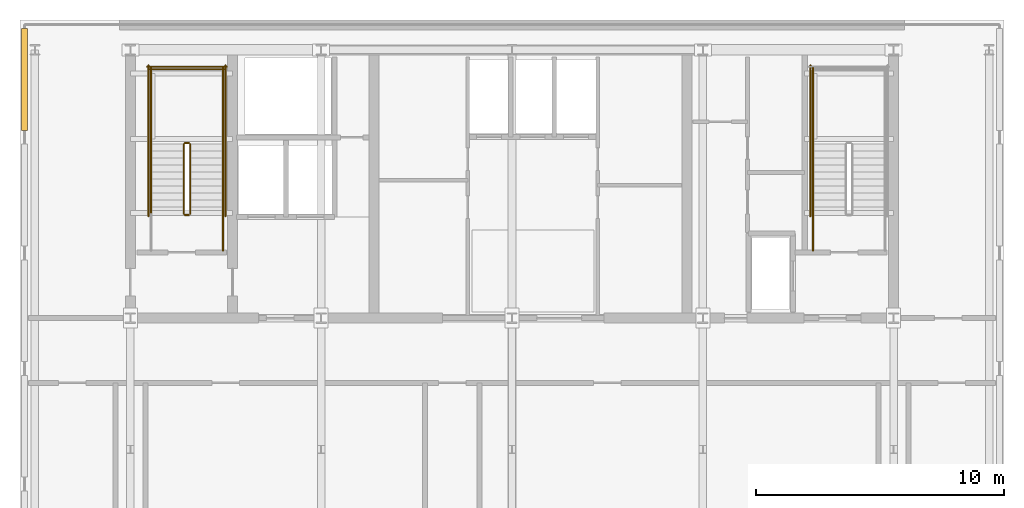
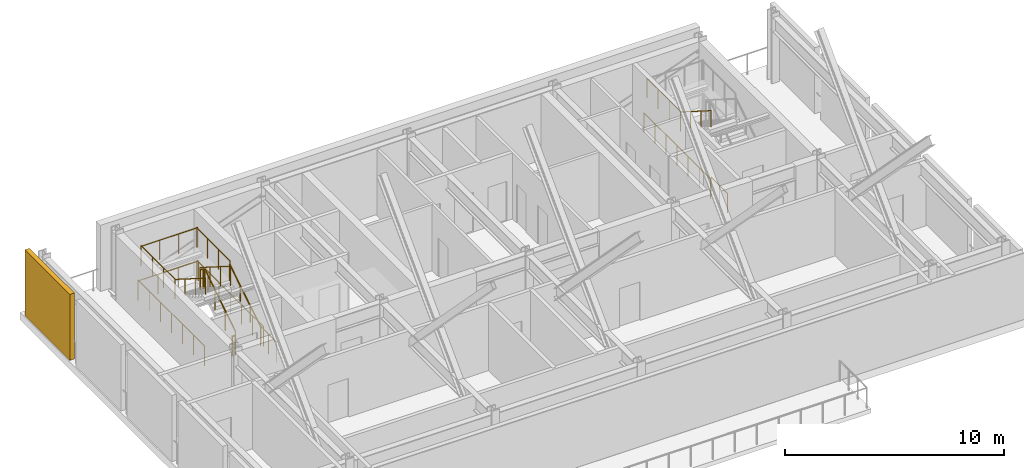
# One storey, part 6 of 8: 17 railings, 1 shading device.
"""IFC4 building model written with IfcOpenShell, lengths in metres."""

from ifc_helpers import new_model, si_unit, direction, frame, origin, origin_2d, place, context, subcontext, project, spatial, rectangle, circle, extrude, material, layer, layer_set, type_object, element, save


model = new_model("IFC4")

# Units and contexts
model_context = context("Model", 3, precision=1e-05, world=origin(), true_north=direction((0.0, 1.0)))
body_context = subcontext(model_context, "Body", "Model", "MODEL_VIEW")
ifc_project = project(units=[si_unit("LENGTHUNIT", "METRE"), si_unit("AREAUNIT", "SQUARE_METRE"), si_unit("VOLUMEUNIT", "CUBIC_METRE"), si_unit("PLANEANGLEUNIT", "RADIAN"), si_unit("MASSUNIT", "GRAM", prefix="KILO")], contexts=[model_context])

# Site, building, storey
site_placement = place(None, origin())
site = spatial("IfcSite", under=ifc_project, at=site_placement, CompositionType="ELEMENT")
building_placement = place(site_placement, origin())
building = spatial("IfcBuilding", under=site, at=building_placement, Name="Yelkora Congress Tower", CompositionType="ELEMENT")
storey_placement = place(building_placement, frame((0.0, 0.0, 247.39990234375)))
storey = spatial("IfcBuildingStorey", under=building, at=storey_placement, Name="L69", CompositionType="ELEMENT", Elevation=247.39990234375)

# Railings
ifc_material_1 = material(Name="Painted galvanised steel stair well guard with vertical infill", Category="steel")
ifc_layer_1 = layer(ifc_material_1, 0.06005859375)
ifc_layer_set_1 = layer_set([ifc_layer_1], Name="Painted galvanised steel stair well guard with vertical infill")
railing_type_1 = type_object("IfcRailingType", Name="RAIL-STAIR-GUARD-1120", PredefinedType="GUARDRAIL", material=ifc_layer_set_1)
railing_1_placement = place(storey_placement, frame((25.449951171875, 39.60009765625, 0.177490234375)))
element("IfcRailing", 1, at=railing_1_placement, inside=storey, type_object=railing_type_1, Name="ST-01 L69 Stair Well Guardrail 1", PredefinedType="GUARDRAIL", context=body_context, shape_type="SweptSolid", body=[
    extrude(circle(Radius=0.02392578125, at=origin_2d()), frame((0.0, 0.0, 1.09619140625), z_axis=(0.0, 0.844887892834, 0.53494340686), x_axis=(-1.0, 0.0, 0.0)), (0.0, 0.0, 1.0), 3.313720703125),
    extrude(circle(Radius=0.02099609375, at=origin_2d()), origin(), (0.0, 0.0, 1.0), 1.072021484375),
    extrude(circle(Radius=0.02099609375, at=origin_2d()), frame((0.0, 0.933349609375, 0.5908203125)), (0.0, 0.0, 1.0), 1.072021484375),
    extrude(circle(Radius=0.02099609375, at=origin_2d()), frame((0.0, 1.866455078125, 1.181884765625)), (0.0, 0.0, 1.0), 1.072021484375),
    extrude(circle(Radius=0.02099609375, at=origin_2d()), frame((0.0, 2.7998046875, 1.772705078125)), (0.0, 0.0, 1.0), 1.072021484375),
])
railing_2_placement = place(storey_placement, frame((25.39990234375, 42.449951171875, 1.9501953125)))
element("IfcRailing", 2, at=railing_2_placement, inside=storey, type_object=railing_type_1, Name="ST-01 L69 Stair Well Guardrail 2", PredefinedType="GUARDRAIL", context=body_context, shape_type="SweptSolid", body=[
    extrude(circle(Radius=0.02392578125, at=origin_2d()), frame((0.0, 0.0, 1.09619140625), z_axis=(-1.0, 0.0, 0.0), x_axis=(0.0, -1.0, 0.0)), (0.0, 0.0, 1.0), 0.159912109375),
    extrude(circle(Radius=0.02099609375, at=origin_2d()), origin(), (0.0, 0.0, 1.0), 1.072021484375),
    extrude(circle(Radius=0.02099609375, at=origin_2d()), frame((-0.159912109375, 0.0, 0.0)), (0.0, 0.0, 1.0), 1.072021484375),
])
for number, where, name in (
    (3, (26.77001953125, 42.39990234375, 1.9501953125), "ST-01 L69 Stair Well Guardrail 3"),
    (4, (23.8701171875, 42.39990234375, 1.9501953125), "ST-01 L69 Stair Well Guardrail 4"),
):
    element("IfcRailing", number, at=place(storey_placement, frame(where)), inside=storey, type_object=railing_type_1, Name=name, PredefinedType="GUARDRAIL", context=body_context, shape_type="SweptSolid", body=[
        extrude(circle(Radius=0.02392578125, at=origin_2d()), frame((0.0, 0.0, 1.09619140625), z_axis=(0.0, 1.0, 0.0), x_axis=(-1.0, 0.0, 0.0)), (0.0, 0.0, 1.0), 3.070068359375),
        extrude(circle(Radius=0.02099609375, at=origin_2d()), origin(), (0.0, 0.0, 1.0), 1.072021484375),
        extrude(circle(Radius=0.02099609375, at=origin_2d()), frame((0.0, 1.0234375, 0.0)), (0.0, 0.0, 1.0), 1.072021484375),
        extrude(circle(Radius=0.02099609375, at=origin_2d()), frame((0.0, 2.046630859375, 0.0)), (0.0, 0.0, 1.0), 1.072021484375),
        extrude(circle(Radius=0.02099609375, at=origin_2d()), frame((0.0, 3.070068359375, 0.0)), (0.0, 0.0, 1.0), 1.072021484375),
    ])
railing_3_placement = place(storey_placement, frame((26.820068359375, 45.419921875, 1.9501953125)))
element("IfcRailing", 5, at=railing_3_placement, inside=storey, type_object=railing_type_1, Name="ST-01 L69 Stair Well Guardrail 5", PredefinedType="GUARDRAIL", context=body_context, shape_type="SweptSolid", body=[
    extrude(circle(Radius=0.02392578125, at=origin_2d()), frame((0.0, 0.0, 1.09619140625), z_axis=(-1.0, 0.0, 0.0), x_axis=(0.0, -1.0, 0.0)), (0.0, 0.0, 1.0), 3.0),
    extrude(circle(Radius=0.02099609375, at=origin_2d()), origin(), (0.0, 0.0, 1.0), 1.072021484375),
    extrude(circle(Radius=0.02099609375, at=origin_2d()), frame((-1.0, 0.0, 0.0)), (0.0, 0.0, 1.0), 1.072021484375),
    extrude(circle(Radius=0.02099609375, at=origin_2d()), frame((-2.0, 0.0, 0.0)), (0.0, 0.0, 1.0), 1.072021484375),
    extrude(circle(Radius=0.02099609375, at=origin_2d()), frame((-3.0, 0.0, 0.0)), (0.0, 0.0, 1.0), 1.072021484375),
])
railing_4_placement = place(storey_placement, frame((25.18994140625, 42.39990234375, 2.12744140625)))
element("IfcRailing", 6, at=railing_4_placement, inside=storey, type_object=railing_type_1, Name="ST-01 L69 Stair Well Guardrail 6", PredefinedType="GUARDRAIL", context=body_context, shape_type="SweptSolid", body=[
    extrude(circle(Radius=0.02392578125, at=origin_2d()), frame((0.0, 0.0, 1.09619140625), z_axis=(0.0, -0.844887892834, 0.53494340686), x_axis=(1.0, 0.0, 0.0)), (0.0, 0.0, 1.0), 3.313720703125),
    extrude(circle(Radius=0.02099609375, at=origin_2d()), origin(), (0.0, 0.0, 1.0), 1.072021484375),
    extrude(circle(Radius=0.02099609375, at=origin_2d()), frame((0.0, -0.933349609375, 0.5908203125)), (0.0, 0.0, 1.0), 1.072021484375),
    extrude(circle(Radius=0.02099609375, at=origin_2d()), frame((0.0, -1.866455078125, 1.181884765625)), (0.0, 0.0, 1.0), 1.072021484375),
    extrude(circle(Radius=0.02099609375, at=origin_2d()), frame((0.0, -2.7998046875, 1.772705078125)), (0.0, 0.0, 1.0), 1.072021484375),
])
railing_5_placement = place(storey_placement, frame((25.39990234375, 39.550048828125, 0.0)))
element("IfcRailing", 7, at=railing_5_placement, inside=storey, type_object=railing_type_1, Name="ST-01 L69 Stair Well Guardrail 7", PredefinedType="GUARDRAIL", context=body_context, shape_type="SweptSolid", body=[
    extrude(circle(Radius=0.02392578125, at=origin_2d()), frame((0.0, 0.0, 1.09619140625), z_axis=(-1.0, 0.0, 0.0), x_axis=(0.0, -1.0, 0.0)), (0.0, 0.0, 1.0), 0.159912109375),
    extrude(circle(Radius=0.02099609375, at=origin_2d()), origin(), (0.0, 0.0, 1.0), 1.072021484375),
    extrude(circle(Radius=0.02099609375, at=origin_2d()), frame((-0.159912109375, 0.0, 0.0)), (0.0, 0.0, 1.0), 1.072021484375),
])
railing_6_placement = place(storey_placement, frame((26.77001953125, 38.1201171875, 0.0)))
element("IfcRailing", 8, at=railing_6_placement, inside=storey, type_object=railing_type_1, Name="ST-01 L69 Stair Well Guardrail 8", PredefinedType="GUARDRAIL", context=body_context, shape_type="SweptSolid", body=[
    extrude(circle(Radius=0.02392578125, at=origin_2d()), frame((0.0, 0.0, 1.09619140625), z_axis=(0.0, 1.0, 0.0), x_axis=(-1.0, 0.0, 0.0)), (0.0, 0.0, 1.0), 1.47998046875),
    extrude(circle(Radius=0.02099609375, at=origin_2d()), origin(), (0.0, 0.0, 1.0), 1.072021484375),
    extrude(circle(Radius=0.02099609375, at=origin_2d()), frame((0.0, 0.739990234375, 0.0)), (0.0, 0.0, 1.0), 1.072021484375),
    extrude(circle(Radius=0.02099609375, at=origin_2d()), frame((0.0, 1.47998046875, 0.0)), (0.0, 0.0, 1.0), 1.072021484375),
])
for number, where, name in (
    (9, (26.8701171875, 39.5, 0.0), "ST-01 L69 Stair Well Guardrail 10"),
    (10, (23.77001953125, 39.5, 0.0), "ST-01 L69 Stair Well Guardrail 11"),
):
    element("IfcRailing", number, at=place(storey_placement, frame(where)), inside=storey, type_object=railing_type_1, Name=name, PredefinedType="GUARDRAIL", context=body_context, shape_type="SweptSolid", body=[
        extrude(circle(Radius=0.02392578125, at=origin_2d()), frame((0.0, 0.0, 1.09619140625), z_axis=(0.0, 1.0, 0.0), x_axis=(-1.0, 0.0, 0.0)), (0.0, 0.0, 1.0), 6.070068359375),
        extrude(circle(Radius=0.02099609375, at=origin_2d()), origin(), (0.0, 0.0, 1.0), 1.072021484375),
        extrude(circle(Radius=0.02099609375, at=origin_2d()), frame((0.0, 1.01171875, 0.0)), (0.0, 0.0, 1.0), 1.072021484375),
        extrude(circle(Radius=0.02099609375, at=origin_2d()), frame((0.0, 2.0234375, 0.0)), (0.0, 0.0, 1.0), 1.072021484375),
        extrude(circle(Radius=0.02099609375, at=origin_2d()), frame((0.0, 3.03515625, 0.0)), (0.0, 0.0, 1.0), 1.072021484375),
        extrude(circle(Radius=0.02099609375, at=origin_2d()), frame((0.0, 4.046630859375, 0.0)), (0.0, 0.0, 1.0), 1.072021484375),
        extrude(circle(Radius=0.02099609375, at=origin_2d()), frame((0.0, 5.058349609375, 0.0)), (0.0, 0.0, 1.0), 1.072021484375),
        extrude(circle(Radius=0.02099609375, at=origin_2d()), frame((0.0, 6.070068359375, 0.0)), (0.0, 0.0, 1.0), 1.072021484375),
    ])
railing_7_placement = place(storey_placement, frame((26.919921875, 45.52001953125, 0.0)))
element("IfcRailing", 11, at=railing_7_placement, inside=storey, type_object=railing_type_1, Name="ST-01 L69 Stair Well Guardrail 12", PredefinedType="GUARDRAIL", context=body_context, shape_type="SweptSolid", body=[
    extrude(circle(Radius=0.02392578125, at=origin_2d()), frame((0.0, 0.0, 1.09619140625), z_axis=(-1.0, 0.0, 0.0), x_axis=(0.0, -1.0, 0.0)), (0.0, 0.0, 1.0), 3.199951171875),
    extrude(circle(Radius=0.02099609375, at=origin_2d()), origin(), (0.0, 0.0, 1.0), 1.072021484375),
    extrude(circle(Radius=0.02099609375, at=origin_2d()), frame((-1.066650390625, 0.0, 0.0)), (0.0, 0.0, 1.0), 1.072021484375),
    extrude(circle(Radius=0.02099609375, at=origin_2d()), frame((-2.13330078125, 0.0, 0.0)), (0.0, 0.0, 1.0), 1.072021484375),
    extrude(circle(Radius=0.02099609375, at=origin_2d()), frame((-3.199951171875, 0.0, 0.0)), (0.0, 0.0, 1.0), 1.072021484375),
])
railing_8_placement = place(storey_placement, frame((50.510009765625, 42.39990234375, 1.9501953125)))
element("IfcRailing", 12, at=railing_8_placement, inside=storey, type_object=railing_type_1, Name="ST-02 L69 Stair Well Guardrail 4", PredefinedType="GUARDRAIL", context=body_context, shape_type="SweptSolid", body=[
    extrude(circle(Radius=0.02392578125, at=origin_2d()), frame((0.0, 0.0, 1.09619140625), z_axis=(0.0, 1.0, 0.0), x_axis=(-1.0, 0.0, 0.0)), (0.0, 0.0, 1.0), 3.070068359375),
    extrude(circle(Radius=0.02099609375, at=origin_2d()), origin(), (0.0, 0.0, 1.0), 1.072021484375),
    extrude(circle(Radius=0.02099609375, at=origin_2d()), frame((0.0, 1.0234375, 0.0)), (0.0, 0.0, 1.0), 1.072021484375),
    extrude(circle(Radius=0.02099609375, at=origin_2d()), frame((0.0, 2.046630859375, 0.0)), (0.0, 0.0, 1.0), 1.072021484375),
    extrude(circle(Radius=0.02099609375, at=origin_2d()), frame((0.0, 3.070068359375, 0.0)), (0.0, 0.0, 1.0), 1.072021484375),
])
railing_9_placement = place(storey_placement, frame((50.510009765625, 38.1201171875, 0.0)))
element("IfcRailing", 13, at=railing_9_placement, inside=storey, type_object=railing_type_1, Name="ST-02 L69 Stair Well Guardrail 9", PredefinedType="GUARDRAIL", context=body_context, shape_type="SweptSolid", body=[
    extrude(circle(Radius=0.02392578125, at=origin_2d()), frame((0.0, 0.0, 1.09619140625), z_axis=(0.0, 1.0, 0.0), x_axis=(-1.0, 0.0, 0.0)), (0.0, 0.0, 1.0), 1.47998046875),
    extrude(circle(Radius=0.02099609375, at=origin_2d()), origin(), (0.0, 0.0, 1.0), 1.072021484375),
    extrude(circle(Radius=0.02099609375, at=origin_2d()), frame((0.0, 0.739990234375, 0.0)), (0.0, 0.0, 1.0), 1.072021484375),
    extrude(circle(Radius=0.02099609375, at=origin_2d()), frame((0.0, 1.47998046875, 0.0)), (0.0, 0.0, 1.0), 1.072021484375),
])
railing_10_placement = place(storey_placement, frame((50.409912109375, 39.5, 0.0)))
element("IfcRailing", 14, at=railing_10_placement, inside=storey, type_object=railing_type_1, Name="ST-02 L69 Stair Well Guardrail 11", PredefinedType="GUARDRAIL", context=body_context, shape_type="SweptSolid", body=[
    extrude(circle(Radius=0.02392578125, at=origin_2d()), frame((0.0, 0.0, 1.09619140625), z_axis=(0.0, 1.0, 0.0), x_axis=(-1.0, 0.0, 0.0)), (0.0, 0.0, 1.0), 6.070068359375),
    extrude(circle(Radius=0.02099609375, at=origin_2d()), origin(), (0.0, 0.0, 1.0), 1.072021484375),
    extrude(circle(Radius=0.02099609375, at=origin_2d()), frame((0.0, 1.01171875, 0.0)), (0.0, 0.0, 1.0), 1.072021484375),
    extrude(circle(Radius=0.02099609375, at=origin_2d()), frame((0.0, 2.0234375, 0.0)), (0.0, 0.0, 1.0), 1.072021484375),
    extrude(circle(Radius=0.02099609375, at=origin_2d()), frame((0.0, 3.03515625, 0.0)), (0.0, 0.0, 1.0), 1.072021484375),
    extrude(circle(Radius=0.02099609375, at=origin_2d()), frame((0.0, 4.046630859375, 0.0)), (0.0, 0.0, 1.0), 1.072021484375),
    extrude(circle(Radius=0.02099609375, at=origin_2d()), frame((0.0, 5.058349609375, 0.0)), (0.0, 0.0, 1.0), 1.072021484375),
    extrude(circle(Radius=0.02099609375, at=origin_2d()), frame((0.0, 6.070068359375, 0.0)), (0.0, 0.0, 1.0), 1.072021484375),
])
ifc_material_2 = material(Name="Brushed stainless steel tubular handrail", Category="steel")
ifc_layer_2 = layer(ifc_material_2, 0.050048828125)
ifc_layer_set_2 = layer_set([ifc_layer_2], Name="Brushed stainless steel tubular handrail")
railing_type_2 = type_object("IfcRailingType", Name="RAIL-STAIR-HAND-920", PredefinedType="HANDRAIL", material=ifc_layer_set_2)
railing_11_placement = place(storey_placement, frame((26.77001953125, 39.60009765625, 0.177490234375)))
element("IfcRailing", 15, at=railing_11_placement, inside=storey, type_object=railing_type_2, Name="ST-01 L69 Pitch Handrail 1", PredefinedType="HANDRAIL", context=body_context, shape_type="SweptSolid", body=[
    extrude(circle(Radius=0.02392578125, at=origin_2d()), frame((0.0, 0.0, 0.89599609375), z_axis=(0.0, 0.844887892834, 0.53494340686), x_axis=(-1.0, 0.0, 0.0)), (0.0, 0.0, 1.0), 3.313720703125),
    extrude(circle(Radius=0.02099609375, at=origin_2d()), origin(), (0.0, 0.0, 1.0), 0.871826171875),
    extrude(circle(Radius=0.02099609375, at=origin_2d()), frame((0.0, 0.933349609375, 0.5908203125)), (0.0, 0.0, 1.0), 0.871826171875),
    extrude(circle(Radius=0.02099609375, at=origin_2d()), frame((0.0, 1.866455078125, 1.181884765625)), (0.0, 0.0, 1.0), 0.871826171875),
    extrude(circle(Radius=0.02099609375, at=origin_2d()), frame((0.0, 2.7998046875, 1.772705078125)), (0.0, 0.0, 1.0), 0.871826171875),
])
for number, where, name in (
    (16, (23.8701171875, 42.39990234375, 2.12744140625), "ST-01 L69 Pitch Handrail 2"),
    (17, (50.510009765625, 42.39990234375, 2.12744140625), "ST-02 L69 Pitch Handrail 2"),
):
    element("IfcRailing", number, at=place(storey_placement, frame(where)), inside=storey, type_object=railing_type_2, Name=name, PredefinedType="HANDRAIL", context=body_context, shape_type="SweptSolid", body=[
        extrude(circle(Radius=0.02392578125, at=origin_2d()), frame((0.0, 0.0, 0.89599609375), z_axis=(0.0, -0.844887892834, 0.53494340686), x_axis=(1.0, 0.0, 0.0)), (0.0, 0.0, 1.0), 3.313720703125),
        extrude(circle(Radius=0.02099609375, at=origin_2d()), origin(), (0.0, 0.0, 1.0), 0.871826171875),
        extrude(circle(Radius=0.02099609375, at=origin_2d()), frame((0.0, -0.933349609375, 0.5908203125)), (0.0, 0.0, 1.0), 0.871826171875),
        extrude(circle(Radius=0.02099609375, at=origin_2d()), frame((0.0, -1.866455078125, 1.181884765625)), (0.0, 0.0, 1.0), 0.871826171875),
        extrude(circle(Radius=0.02099609375, at=origin_2d()), frame((0.0, -2.7998046875, 1.772705078125)), (0.0, 0.0, 1.0), 0.871826171875),
    ])

# Shading device
ifc_material_3 = material(Name="Perforated anodised aluminium louvre", Category="aluminium")
ifc_layer_3 = layer(ifc_material_3, 3.39990234375)
ifc_layer_set_3 = layer_set([ifc_layer_3], Name="Perforated anodised aluminium louvre")
shading_device_type = type_object("IfcShadingDeviceType", Name="SHD-LOUVRE-WIND", PredefinedType="JALOUSIE", material=ifc_layer_set_3)
shading_device_placement = place(storey_placement, frame((18.780029296875, 45.0, 0.0), z_axis=(0.0, 0.0, 1.0), x_axis=(1.0, 0.0, 0.0)))
element("IfcShadingDevice", 18, at=shading_device_placement, inside=storey, type_object=shading_device_type, Name="L69 Acoustic Wind-Floor Louvre Screen W5", PredefinedType="JALOUSIE", context=body_context, shape_type="SweptSolid", body=[
    extrude(rectangle(XDim=0.239990234375, YDim=4.10009765625, at=origin_2d()), origin(), (0.0, 0.0, 1.0), 3.679931640625),
])

save(model, "model.ifc")
